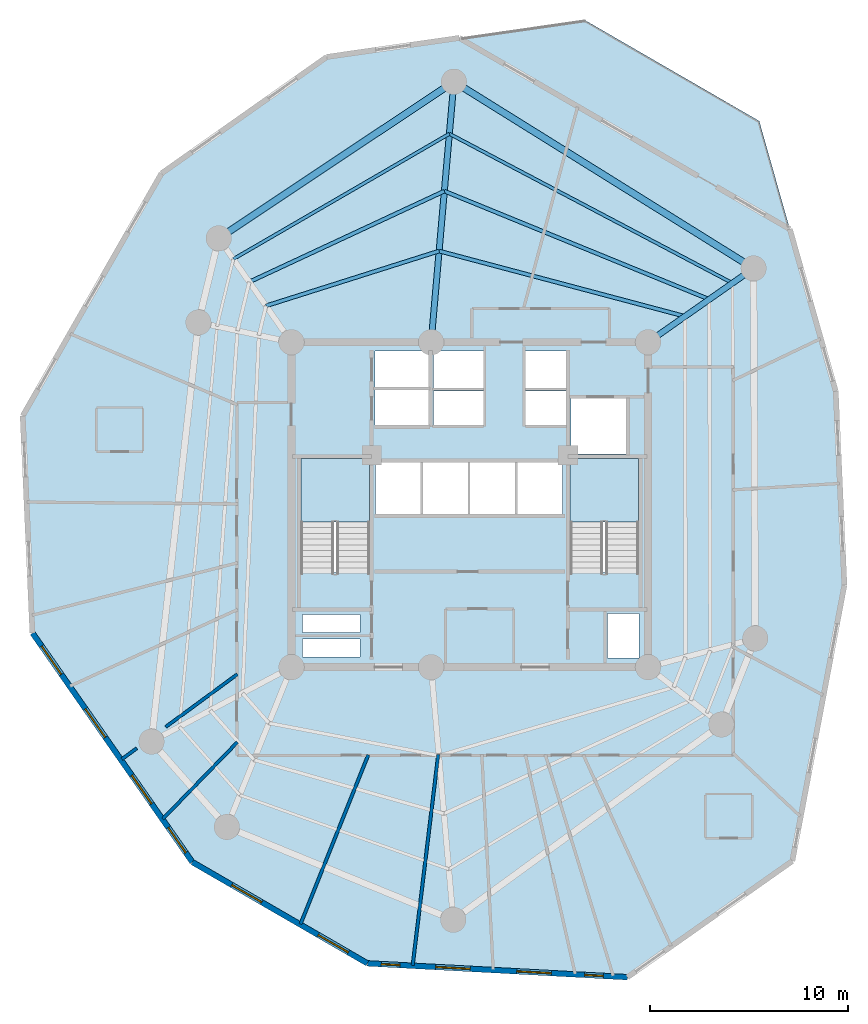
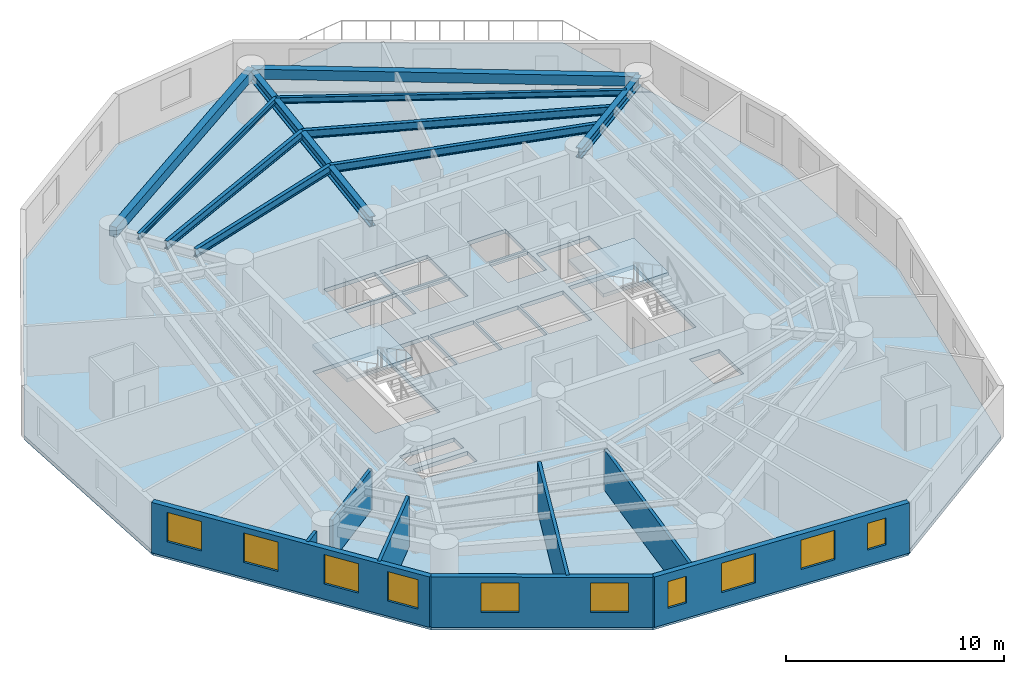
# One storey, part 2 of 7: 10 beams, 10 windows, 8 walls, 4 slabs, 10 openings, 2 elements without a shape of their own.
"""IFC4 building model written with IfcOpenShell, lengths in metres."""

from ifc_helpers import new_model, si_unit, direction, frame, frame_2d, origin, origin_with_axes, origin_2d, place, context, subcontext, project, spatial, polyline, rectangle, i_section, outline, extrude, source, transform, mapped, material, layer, layer_set, material_profile, profile_set, type_object, element, fill, aggregate, save


model = new_model("IFC4")

# Units and contexts
model_context = context("Model", 3, precision=1e-05, world=origin(), true_north=direction((0.0, 1.0)))
body_context = subcontext(model_context, "Body", "Model", "MODEL_VIEW")
ifc_project = project(units=[si_unit("LENGTHUNIT", "METRE"), si_unit("AREAUNIT", "SQUARE_METRE"), si_unit("VOLUMEUNIT", "CUBIC_METRE"), si_unit("PLANEANGLEUNIT", "RADIAN"), si_unit("MASSUNIT", "GRAM", prefix="KILO")], contexts=[model_context])

# Site, building, storey
site_placement = place(None, origin())
site = spatial("IfcSite", under=ifc_project, at=site_placement, CompositionType="ELEMENT")
building_placement = place(site_placement, origin())
building = spatial("IfcBuilding", under=site, at=building_placement, Name="Karkom Vertical University and Central Library", CompositionType="ELEMENT")
storey_placement = place(building_placement, frame((0.0, 0.0, 193.14990234375)))
storey = spatial("IfcBuildingStorey", under=building, at=storey_placement, Name="L56", CompositionType="ELEMENT", Elevation=193.14990234375)

# Beams
ifc_material_1 = material(Name="Precast concrete C45/55", Category="concrete")
ifc_material_profile_1 = material_profile(ifc_material_1, rectangle(XDim=0.35009765625, YDim=0.550048828125, at=origin_2d()), Name="SPB-350x550")
ifc_profile_set_1 = profile_set([ifc_material_profile_1], Name="Precast concrete C45/55")
beam_type_1 = type_object("IfcBeamType", Name="STR-BM-SP-2", PredefinedType="SPANDREL", material=ifc_profile_set_1)
shared_shape_1 = source(origin_with_axes(), body_context, "Body", "SweptSolid", [
    extrude(rectangle(XDim=0.35009765625, YDim=0.550048828125, at=origin_2d()), origin(), (0.0, 0.0, 1.0), 17.81884765625),
])
beam_1_placement = place(storey_placement, frame((42.823974609375, 38.427978515625, 2.550048828125), z_axis=(-0.848764070164, 0.528771740167, 0.0), x_axis=(-0.528771740167, -0.848764070164, 0.0)))
element("IfcBeam", 1, at=beam_1_placement, inside=storey, type_object=beam_type_1, Name="Level 56 Perimeter Spandrel Beam 02", PredefinedType="SPANDREL", context=body_context, shape_type="MappedRepresentation", body=[
    mapped(shared_shape_1, transform((0.0, 0.0, 0.0), scale=1.0)),
])
shared_shape_2 = source(origin_with_axes(), body_context, "Body", "SweptSolid", [
    extrude(rectangle(XDim=0.35009765625, YDim=0.550048828125, at=origin_2d()), origin(), (0.0, 0.0, 1.0), 14.26318359375),
])
beam_2_placement = place(storey_placement, frame((27.699951171875, 47.85009765625, 2.550048828125), z_axis=(-0.83227406272, -0.554364396876, 0.0), x_axis=(0.554364396876, -0.83227406272, 0.0)))
element("IfcBeam", 2, at=beam_2_placement, inside=storey, type_object=beam_type_1, Name="Level 56 Perimeter Spandrel Beam 03", PredefinedType="SPANDREL", context=body_context, shape_type="MappedRepresentation", body=[
    mapped(shared_shape_2, transform((0.0, 0.0, 0.0), scale=1.0)),
])
ifc_material_2 = material(Name="Steel S355", Category="steel")
ifc_material_profile_2 = material_profile(ifc_material_2, i_section(OverallWidth=0.18994140625, OverallDepth=0.449951171875, WebThickness=0.009521484375, FlangeThickness=0.0146484375, FilletRadius=0.02099609375, at=origin_2d()), Name="IPE 450")
ifc_profile_set_2 = profile_set([ifc_material_profile_2], Name="Steel S355")
beam_type_2 = type_object("IfcBeamType", Name="STR-BM-SB-IPE450", PredefinedType="BEAM", material=ifc_profile_set_2)
shared_shape_3 = source(origin_with_axes(), body_context, "Body", "SweptSolid", [
    extrude(i_section(OverallWidth=0.18994140625, OverallDepth=0.449951171875, WebThickness=0.009521484375, FlangeThickness=0.0146484375, FilletRadius=0.02099609375, at=origin_2d()), origin(), (0.0, 0.0, 1.0), 12.841552734375),
])
beam_3_placement = place(storey_placement, frame((39.36328125, 36.0048828125, 2.60009765625), z_axis=(-0.96646647674, 0.256792814032, 0.0), x_axis=(-0.256792814032, -0.96646647674, 0.0)))
element("IfcBeam", 3, at=beam_3_placement, inside=storey, type_object=beam_type_2, Name="Level 56 Secondary Composite Floor Beam 1.02", PredefinedType="BEAM", context=body_context, shape_type="MappedRepresentation", body=[
    mapped(shared_shape_3, transform((0.0, 0.0, 0.0), scale=1.0)),
])
shared_shape_4 = source(origin_with_axes(), body_context, "Body", "SweptSolid", [
    extrude(i_section(OverallWidth=0.18994140625, OverallDepth=0.449951171875, WebThickness=0.009521484375, FlangeThickness=0.0146484375, FilletRadius=0.02099609375, at=origin_2d()), origin(), (0.0, 0.0, 1.0), 9.1650390625),
])
beam_4_placement = place(storey_placement, frame((26.952392578125, 39.302490234375, 2.60009765625), z_axis=(-0.953318200449, -0.301967562319, 0.0), x_axis=(0.301967562319, -0.953318200449, 0.0)))
element("IfcBeam", 4, at=beam_4_placement, inside=storey, type_object=beam_type_2, Name="Level 56 Secondary Composite Floor Beam 1.03", PredefinedType="BEAM", context=body_context, shape_type="MappedRepresentation", body=[
    mapped(shared_shape_4, transform((0.0, 0.0, 0.0), scale=1.0)),
])
shared_shape_5 = source(origin_with_axes(), body_context, "Body", "SweptSolid", [
    extrude(i_section(OverallWidth=0.18994140625, OverallDepth=0.449951171875, WebThickness=0.009521484375, FlangeThickness=0.0146484375, FilletRadius=0.02099609375, at=origin_2d()), origin(), (0.0, 0.0, 1.0), 14.4443359375),
])
beam_5_placement = place(storey_placement, frame((40.587890625, 36.8623046875, 2.60009765625), z_axis=(-0.925675328736, 0.378318894281, 0.0), x_axis=(-0.378318894281, -0.925675328736, 0.0)))
element("IfcBeam", 5, at=beam_5_placement, inside=storey, type_object=beam_type_2, Name="Level 56 Secondary Composite Floor Beam 2.02", PredefinedType="BEAM", context=body_context, shape_type="MappedRepresentation", body=[
    mapped(shared_shape_5, transform((0.0, 0.0, 0.0), scale=1.0)),
])
shared_shape_6 = source(origin_with_axes(), body_context, "Body", "SweptSolid", [
    extrude(i_section(OverallWidth=0.18994140625, OverallDepth=0.449951171875, WebThickness=0.009521484375, FlangeThickness=0.0146484375, FilletRadius=0.02099609375, at=origin_2d()), origin(), (0.0, 0.0, 1.0), 10.86181640625),
])
beam_6_placement = place(storey_placement, frame((27.217041015625, 42.326904296875, 2.60009765625), z_axis=(-0.90649871419, -0.422208575436, 0.0), x_axis=(0.422208575436, -0.90649871419, 0.0)))
element("IfcBeam", 6, at=beam_6_placement, inside=storey, type_object=beam_type_2, Name="Level 56 Secondary Composite Floor Beam 2.03", PredefinedType="BEAM", context=body_context, shape_type="MappedRepresentation", body=[
    mapped(shared_shape_6, transform((0.0, 0.0, 0.0), scale=1.0)),
])
ifc_material_profile_3 = material_profile(ifc_material_2, i_section(OverallWidth=0.159912109375, OverallDepth=0.330078125, WebThickness=0.007568359375, FlangeThickness=0.011474609375, FilletRadius=0.01806640625, at=origin_2d()), Name="IPE 330")
ifc_profile_set_3 = profile_set([ifc_material_profile_3], Name="Steel S355")
beam_type_3 = type_object("IfcBeamType", Name="STR-BM-SB-IPE330", PredefinedType="BEAM", material=ifc_profile_set_3)
shared_shape_7 = source(origin_with_axes(), body_context, "Body", "SweptSolid", [
    extrude(i_section(OverallWidth=0.159912109375, OverallDepth=0.330078125, WebThickness=0.007568359375, FlangeThickness=0.011474609375, FilletRadius=0.01806640625, at=origin_2d()), origin(), (0.0, 0.0, 1.0), 16.155517578125),
])
beam_7_placement = place(storey_placement, frame((41.75927734375, 37.682373046875, 2.66015625), z_axis=(-0.884486447848, 0.466565883423, 0.0), x_axis=(-0.466565883423, -0.884486447848, 0.0)))
element("IfcBeam", 7, at=beam_7_placement, inside=storey, type_object=beam_type_3, Name="Level 56 Secondary Composite Floor Beam 3.02", PredefinedType="BEAM", context=body_context, shape_type="MappedRepresentation", body=[
    mapped(shared_shape_7, transform((0.0, 0.0, 0.0), scale=1.0)),
])
shared_shape_8 = source(origin_with_axes(), body_context, "Body", "SweptSolid", [
    extrude(i_section(OverallWidth=0.159912109375, OverallDepth=0.330078125, WebThickness=0.007568359375, FlangeThickness=0.011474609375, FilletRadius=0.01806640625, at=origin_2d()), origin(), (0.0, 0.0, 1.0), 12.6083984375),
])
beam_8_placement = place(storey_placement, frame((27.469970703125, 45.219970703125, 2.66015625), z_axis=(-0.865038920595, -0.50170475965, 0.0), x_axis=(0.50170475965, -0.865038920595, 0.0)))
element("IfcBeam", 8, at=beam_8_placement, inside=storey, type_object=beam_type_3, Name="Level 56 Secondary Composite Floor Beam 3.03", PredefinedType="BEAM", context=body_context, shape_type="MappedRepresentation", body=[
    mapped(shared_shape_8, transform((0.0, 0.0, 0.0), scale=1.0)),
])
ifc_material_profile_4 = material_profile(ifc_material_2, i_section(OverallWidth=0.300048828125, OverallDepth=0.550048828125, WebThickness=0.014892578125, FlangeThickness=0.029052734375, FilletRadius=0.027099609375, at=origin_2d()), Name="HE 550 B")
ifc_profile_set_4 = profile_set([ifc_material_profile_4], Name="Steel S355")
beam_type_4 = type_object("IfcBeamType", Name="STR-BM-SB-HE550", PredefinedType="USERDEFINED", material=ifc_profile_set_4)
shared_shape_9 = source(origin_with_axes(), body_context, "Body", "SweptSolid", [
    extrude(i_section(OverallWidth=0.300048828125, OverallDepth=0.550048828125, WebThickness=0.014892578125, FlangeThickness=0.029052734375, FilletRadius=0.027099609375, at=origin_2d()), origin(), (0.0, 0.0, 1.0), 6.49951171875),
])
beam_9_placement = place(storey_placement, frame((37.5, 34.699951171875, 2.550048828125), z_axis=(0.819141909878, 0.573590909517, 0.0), x_axis=(-0.573590909517, 0.819141909878, 0.0)))
element("IfcBeam", 9, at=beam_9_placement, inside=storey, type_object=beam_type_4, Name="Level 56 Radial Frame Girder 02", ObjectType="GIRDER", PredefinedType="USERDEFINED", context=body_context, shape_type="MappedRepresentation", body=[
    mapped(shared_shape_9, transform((0.0, 0.0, 0.0), scale=1.0)),
])
shared_shape_10 = source(origin_with_axes(), body_context, "Body", "SweptSolid", [
    extrude(i_section(OverallWidth=0.300048828125, OverallDepth=0.550048828125, WebThickness=0.014892578125, FlangeThickness=0.029052734375, FilletRadius=0.027099609375, at=origin_2d()), origin(), (0.0, 0.0, 1.0), 13.200439453125),
])
beam_10_placement = place(storey_placement, frame((26.550048828125, 34.699951171875, 2.550048828125), z_axis=(0.087111657164, 0.996198554098, 0.0), x_axis=(-0.996198554098, 0.087111657164, 0.0)))
element("IfcBeam", 10, at=beam_10_placement, inside=storey, type_object=beam_type_4, Name="Level 56 Radial Frame Girder 03", ObjectType="GIRDER", PredefinedType="USERDEFINED", context=body_context, shape_type="MappedRepresentation", body=[
    mapped(shared_shape_10, transform((0.0, 0.0, 0.0), scale=1.0)),
])

# Stair, slab
ifc_material_3 = material(Name="Concrete C45/55", Category="concrete")
stair_type = type_object("IfcStairType", Name="INT-STR-ST-MAIN", PredefinedType="HALF_TURN_STAIR", material=ifc_material_3)
stair_1_placement = place(storey_placement, origin())
stair_1 = element("IfcStair", 11, at=stair_1_placement, inside=storey, type_object=stair_type, Name="Level 56 Tower Protected Exit Stair ST-1", PredefinedType="HALF_TURN_STAIR")
ifc_layer_1 = layer(ifc_material_3, 0.199951171875)
ifc_layer_set_1 = layer_set([ifc_layer_1], Name="Concrete C45/55")
slab_type_1 = type_object("IfcSlabType", Name="INT-SLB-LANDING", PredefinedType="LANDING", material=ifc_layer_set_1)
slab_1_placement = place(storey_placement, frame((0.0, 0.0, 1.3251953125)))
slab_1 = element("IfcSlab", 12, at=slab_1_placement, type_object=slab_type_1, Name="ST-1 landing 1", PredefinedType="LANDING", context=body_context, shape_type="SweptSolid", body=[
    extrude(outline(polyline([(23.43994140625, 25.6298828125), (23.43994140625, 28.820068359375), (19.97998046875, 28.820068359375), (19.97998046875, 25.6298828125), (23.43994140625, 25.6298828125)])), origin(), (0.0, 0.0, 1.0), 0.199951171875),
])
aggregate(stair_1, [slab_1])

stair_2_placement = place(storey_placement, origin())
stair_2 = element("IfcStair", 13, at=stair_2_placement, inside=storey, type_object=stair_type, Name="Level 56 Tower Protected Exit Stair ST-2", PredefinedType="HALF_TURN_STAIR")
slab_2_placement = place(storey_placement, frame((0.0, 0.0, 1.3251953125)))
slab_2 = element("IfcSlab", 14, at=slab_2_placement, type_object=slab_type_1, Name="ST-2 landing 1", PredefinedType="LANDING", context=body_context, shape_type="SweptSolid", body=[
    extrude(outline(polyline([(37.02001953125, 25.6298828125), (37.02001953125, 28.820068359375), (33.56005859375, 28.820068359375), (33.56005859375, 25.6298828125), (37.02001953125, 25.6298828125)])), origin(), (0.0, 0.0, 1.0), 0.199951171875),
])
aggregate(stair_2, [slab_2])

# Slabs
ifc_layer_2 = layer(ifc_material_3, 0.22509765625)
ifc_layer_set_2 = layer_set([ifc_layer_2], Name="Concrete C45/55")
slab_type_2 = type_object("IfcSlabType", Name="STR-SLB-FLR-225", PredefinedType="FLOOR", material=ifc_layer_set_2)
slab_3_placement = place(storey_placement, frame((0.0, 0.0, -0.224853515625)))
element("IfcSlab", 15, at=slab_3_placement, inside=storey, type_object=slab_type_2, Name="Level 56 Tower Structural Floor Slab", PredefinedType="FLOOR", context=body_context, shape_type="SweptSolid", body=[
    extrude(outline(polyline([(6.4296875, 20.020263671875), (14.4970703125, 8.45947265625), (23.329833984375, 3.349609375), (36.453369140625, 2.651611328125), (44.77685546875, 8.5166015625), (47.40380859375, 22.44091796875), (46.966064453125, 32.229736328125), (44.651611328125, 40.4072265625), (27.97265625, 50.05615234375), (21.284423828125, 49.096435546875), (12.94287109375, 43.21875), (5.939697265625, 30.984130859375), (6.4296875, 20.020263671875)]), holes=[polyline([(19.97998046875, 23.0849609375), (23.43994140625, 23.0849609375), (23.43994140625, 28.820068359375), (19.97998046875, 28.820068359375), (19.97998046875, 23.0849609375)]), polyline([(33.56005859375, 23.0849609375), (37.02001953125, 23.0849609375), (37.02001953125, 28.820068359375), (33.56005859375, 28.820068359375), (33.56005859375, 23.0849609375)]), polyline([(23.75, 26.0), (26.030029296875, 26.0), (26.030029296875, 28.64990234375), (23.75, 28.64990234375), (23.75, 26.0)]), polyline([(26.1298828125, 26.0), (28.409912109375, 26.0), (28.409912109375, 28.64990234375), (26.1298828125, 28.64990234375), (26.1298828125, 26.0)]), polyline([(28.510009765625, 26.0), (30.7900390625, 26.0), (30.7900390625, 28.64990234375), (28.510009765625, 28.64990234375), (28.510009765625, 26.0)]), polyline([(30.889892578125, 26.0), (33.169921875, 26.0), (33.169921875, 28.64990234375), (30.889892578125, 28.64990234375), (30.889892578125, 26.0)]), polyline([(26.679931640625, 30.5), (29.199951171875, 30.5), (29.199951171875, 32.25), (26.679931640625, 32.25), (26.679931640625, 30.5)]), polyline([(26.679931640625, 32.39990234375), (29.199951171875, 32.39990234375), (29.199951171875, 34.25), (26.679931640625, 34.25), (26.679931640625, 32.39990234375)]), polyline([(31.300048828125, 30.5), (33.35009765625, 30.5), (33.35009765625, 32.25), (31.300048828125, 32.25), (31.300048828125, 30.5)]), polyline([(31.300048828125, 32.39990234375), (33.35009765625, 32.39990234375), (33.35009765625, 34.25), (31.300048828125, 34.25), (31.300048828125, 32.39990234375)]), polyline([(23.719970703125, 30.47998046875), (26.429931640625, 30.47998046875), (26.429931640625, 32.320068359375), (23.719970703125, 32.320068359375), (23.719970703125, 30.47998046875)]), polyline([(23.719970703125, 32.419921875), (26.429931640625, 32.419921875), (26.429931640625, 34.260009765625), (23.719970703125, 34.260009765625), (23.719970703125, 32.419921875)]), polyline([(33.60009765625, 29.050048828125), (36.39990234375, 29.050048828125), (36.39990234375, 31.85009765625), (33.60009765625, 31.85009765625), (33.60009765625, 29.050048828125)]), polyline([(20.050048828125, 18.820068359375), (22.949951171875, 18.820068359375), (22.949951171875, 19.719970703125), (20.050048828125, 19.719970703125), (20.050048828125, 18.820068359375)]), polyline([(20.050048828125, 20.06005859375), (22.949951171875, 20.06005859375), (22.949951171875, 20.9599609375), (20.050048828125, 20.9599609375), (20.050048828125, 20.06005859375)]), polyline([(35.4599609375, 18.760009765625), (37.0400390625, 18.760009765625), (37.0400390625, 21.010009765625), (35.4599609375, 21.010009765625), (35.4599609375, 18.760009765625)])]), origin(), (0.0, 0.0, 1.0), 0.224853515625),
])
ifc_layer_3 = layer(ifc_material_3, 0.199951171875)
ifc_layer_set_3 = layer_set([ifc_layer_3], Name="Concrete C45/55")
slab_type_3 = type_object("IfcSlabType", Name="STR-SLB-PLN-260", PredefinedType="USERDEFINED", material=ifc_layer_set_3)
slab_4_placement = place(storey_placement, frame((0.0, 0.0, -0.224853515625)))
element("IfcSlab", 16, at=slab_4_placement, inside=storey, type_object=slab_type_3, Name="Level 56 Spiral Sky Garden Planter Terrace", ObjectType="PLANTER", PredefinedType="USERDEFINED", context=body_context, shape_type="SweptSolid", body=[
    extrude(outline(polyline([(44.651611328125, 40.4072265625), (43.107177734375, 45.864013671875), (34.293212890625, 50.962890625), (27.97265625, 50.05615234375), (44.651611328125, 40.4072265625)])), origin(), (0.0, 0.0, 1.0), 0.224853515625),
])

# Wall, openings, windows
ifc_material_4 = material(Name="Brick-faced precast concrete C45/55", Category="masonry")
ifc_layer_4 = layer(ifc_material_4, 0.280029296875)
ifc_layer_set_4 = layer_set([ifc_layer_4], Name="Brick-faced precast concrete C45/55")
wall_type_1 = type_object("IfcWallType", Name="ENV-WL-BRK-280", PredefinedType="SOLIDWALL", material=ifc_layer_set_4)
wall_1_placement = place(storey_placement, frame((6.4296875, 20.020263671875, 0.0), z_axis=(0.0, 0.0, 1.0), x_axis=(0.57226340273, -0.820069873789, 0.0)))
wall_1 = element("IfcWall", 17, at=wall_1_placement, inside=storey, type_object=wall_type_1, Name="Level 56 Brick-Faced Precast Facade Wall 01", PredefinedType="SOLIDWALL", context=body_context, shape_type="SweptSolid", body=[
    extrude(rectangle(XDim=14.097412109375, YDim=0.280029296875, at=frame_2d((7.048828125, 0.0))), origin(), (0.0, 0.0, 1.0), 2.8251953125),
])
opening_1_placement = place(wall_1_placement, frame((0.79736328125, 0.0, 0.85009765625)))
opening_1 = element("IfcOpeningElement", 18, at=opening_1_placement, cuts=wall_1, Name="Opening WN-08", PredefinedType="OPENING", context=body_context, shape_type="SweptSolid", body=[
    extrude(rectangle(XDim=1.75, YDim=1.64990234375, at=frame_2d((0.875, 0.824951171875))), frame((0.0, 0.14990234375, 0.0), z_axis=(0.0, -1.0, 0.0), x_axis=(1.0, 0.0, 0.0)), (0.0, 0.0, 1.0), 0.300048828125),
])
opening_2_placement = place(wall_1_placement, frame((4.668212890625, 0.0, 0.85009765625)))
opening_2 = element("IfcOpeningElement", 19, at=opening_2_placement, cuts=wall_1, Name="Opening WN-08", PredefinedType="OPENING", context=body_context, shape_type="SweptSolid", body=[
    extrude(rectangle(XDim=1.75, YDim=1.64990234375, at=frame_2d((0.875, 0.824951171875))), frame((0.0, 0.14990234375, 0.0), z_axis=(0.0, -1.0, 0.0), x_axis=(1.0, 0.0, 0.0)), (0.0, 0.0, 1.0), 0.300048828125),
])
opening_3_placement = place(wall_1_placement, frame((8.750732421875, 0.0, 0.85009765625)))
opening_3 = element("IfcOpeningElement", 20, at=opening_3_placement, cuts=wall_1, Name="Opening WN-08", PredefinedType="OPENING", context=body_context, shape_type="SweptSolid", body=[
    extrude(rectangle(XDim=1.75, YDim=1.64990234375, at=frame_2d((0.875, 0.824951171875))), frame((0.0, 0.14990234375, 0.0), z_axis=(0.0, -1.0, 0.0), x_axis=(1.0, 0.0, 0.0)), (0.0, 0.0, 1.0), 0.300048828125),
])
opening_4_placement = place(wall_1_placement, frame((11.96875, 0.0, 0.85009765625)))
opening_4 = element("IfcOpeningElement", 21, at=opening_4_placement, cuts=wall_1, Name="Opening WN-09", PredefinedType="OPENING", context=body_context, shape_type="SweptSolid", body=[
    extrude(rectangle(XDim=1.550048828125, YDim=1.64990234375, at=frame_2d((0.77490234375, 0.824951171875))), frame((0.0, 0.14990234375, 0.0), z_axis=(0.0, -1.0, 0.0), x_axis=(1.0, 0.0, 0.0)), (0.0, 0.0, 1.0), 0.300048828125),
])
ifc_material_5 = material(Name="Aluminium thermal-break frame with solar-control IGU", Category="aluminium")
window_type_1 = type_object("IfcWindowType", Name="ENV-WIN-WN-08", PartitioningType="SINGLE_PANEL", PredefinedType="WINDOW", material=ifc_material_5)
shared_shape_11 = source(origin_with_axes(), body_context, "Body", "SweptSolid", [
    extrude(rectangle(XDim=1.75, YDim=1.64990234375, at=frame_2d((0.875, 0.824951171875))), frame((0.0, 0.030029296875, 0.0), z_axis=(0.0, -1.0, 0.0), x_axis=(1.0, 0.0, 0.0)), (0.0, 0.0, 1.0), 0.06005859375),
])
window_1_placement = place(opening_1_placement, origin())
window_1 = element("IfcWindow", 22, at=window_1_placement, inside=storey, type_object=window_type_1, Name="Level 56 Punched Window 1.1", OverallHeight=1.64990234375, OverallWidth=1.75, PartitioningType="SINGLE_PANEL", PredefinedType="WINDOW", context=body_context, shape_type="MappedRepresentation", body=[
    mapped(shared_shape_11, transform((0.0, 0.0, 0.0), scale=1.0)),
])
fill(opening_1, window_1)
window_2_placement = place(opening_2_placement, origin())
window_2 = element("IfcWindow", 23, at=window_2_placement, inside=storey, type_object=window_type_1, Name="Level 56 Punched Window 1.2", OverallHeight=1.64990234375, OverallWidth=1.75, PartitioningType="SINGLE_PANEL", PredefinedType="WINDOW", context=body_context, shape_type="MappedRepresentation", body=[
    mapped(shared_shape_11, transform((0.0, 0.0, 0.0), scale=1.0)),
])
fill(opening_2, window_2)
window_3_placement = place(opening_3_placement, origin())
window_3 = element("IfcWindow", 24, at=window_3_placement, inside=storey, type_object=window_type_1, Name="Level 56 Punched Window 1.3", OverallHeight=1.64990234375, OverallWidth=1.75, PartitioningType="SINGLE_PANEL", PredefinedType="WINDOW", context=body_context, shape_type="MappedRepresentation", body=[
    mapped(shared_shape_11, transform((0.0, 0.0, 0.0), scale=1.0)),
])
fill(opening_3, window_3)
window_type_2 = type_object("IfcWindowType", Name="ENV-WIN-WN-09", PartitioningType="SINGLE_PANEL", PredefinedType="WINDOW", material=ifc_material_5)
shared_shape_12 = source(origin_with_axes(), body_context, "Body", "SweptSolid", [
    extrude(rectangle(XDim=1.550048828125, YDim=1.64990234375, at=frame_2d((0.77490234375, 0.824951171875))), frame((0.0, 0.030029296875, 0.0), z_axis=(0.0, -1.0, 0.0), x_axis=(1.0, 0.0, 0.0)), (0.0, 0.0, 1.0), 0.06005859375),
])
window_4_placement = place(opening_4_placement, origin())
window_4 = element("IfcWindow", 25, at=window_4_placement, inside=storey, type_object=window_type_2, Name="Level 56 Punched Window 1.4", OverallHeight=1.64990234375, OverallWidth=1.550048828125, PartitioningType="SINGLE_PANEL", PredefinedType="WINDOW", context=body_context, shape_type="MappedRepresentation", body=[
    mapped(shared_shape_12, transform((0.0, 0.0, 0.0), scale=1.0)),
])
fill(opening_4, window_4)

wall_2_placement = place(storey_placement, frame((14.4970703125, 8.45947265625, 0.0), z_axis=(0.0, 0.0, 1.0), x_axis=(0.865589496706, -0.500754254293, 0.0)))
wall_2 = element("IfcWall", 26, at=wall_2_placement, inside=storey, type_object=wall_type_1, Name="Level 56 Brick-Faced Precast Facade Wall 02", PredefinedType="SOLIDWALL", context=body_context, shape_type="SweptSolid", body=[
    extrude(rectangle(XDim=10.204345703125, YDim=0.280029296875, at=frame_2d((5.10205078125, 0.0))), origin(), (0.0, 0.0, 1.0), 2.8251953125),
])
opening_5_placement = place(wall_2_placement, frame((2.298583984375, 0.0, 0.85009765625)))
opening_5 = element("IfcOpeningElement", 27, at=opening_5_placement, cuts=wall_2, Name="Opening WN-08", PredefinedType="OPENING", context=body_context, shape_type="SweptSolid", body=[
    extrude(rectangle(XDim=1.75, YDim=1.64990234375, at=frame_2d((0.875, 0.824951171875))), frame((0.0, 0.14990234375, 0.0), z_axis=(0.0, -1.0, 0.0), x_axis=(1.0, 0.0, 0.0)), (0.0, 0.0, 1.0), 0.300048828125),
])
opening_6_placement = place(wall_2_placement, frame((7.3408203125, 0.0, 0.85009765625)))
opening_6 = element("IfcOpeningElement", 28, at=opening_6_placement, cuts=wall_2, Name="Opening WN-08", PredefinedType="OPENING", context=body_context, shape_type="SweptSolid", body=[
    extrude(rectangle(XDim=1.75, YDim=1.64990234375, at=frame_2d((0.875, 0.824951171875))), frame((0.0, 0.14990234375, 0.0), z_axis=(0.0, -1.0, 0.0), x_axis=(1.0, 0.0, 0.0)), (0.0, 0.0, 1.0), 0.300048828125),
])
window_5_placement = place(opening_5_placement, origin())
window_5 = element("IfcWindow", 29, at=window_5_placement, inside=storey, type_object=window_type_1, Name="Level 56 Punched Window 2.1", OverallHeight=1.64990234375, OverallWidth=1.75, PartitioningType="SINGLE_PANEL", PredefinedType="WINDOW", context=body_context, shape_type="MappedRepresentation", body=[
    mapped(shared_shape_11, transform((0.0, 0.0, 0.0), scale=1.0)),
])
fill(opening_5, window_5)
window_6_placement = place(opening_6_placement, origin())
window_6 = element("IfcWindow", 30, at=window_6_placement, inside=storey, type_object=window_type_1, Name="Level 56 Punched Window 2.2", OverallHeight=1.64990234375, OverallWidth=1.75, PartitioningType="SINGLE_PANEL", PredefinedType="WINDOW", context=body_context, shape_type="MappedRepresentation", body=[
    mapped(shared_shape_11, transform((0.0, 0.0, 0.0), scale=1.0)),
])
fill(opening_6, window_6)

wall_3_placement = place(storey_placement, frame((23.329833984375, 3.349609375, 0.0), z_axis=(0.0, 0.0, 1.0), x_axis=(0.998588579162, -0.053111670719, 0.0)))
wall_3 = element("IfcWall", 31, at=wall_3_placement, inside=storey, type_object=wall_type_1, Name="Level 56 Brick-Faced Precast Facade Wall 03", PredefinedType="SOLIDWALL", context=body_context, shape_type="SweptSolid", body=[
    extrude(rectangle(XDim=13.14208984375, YDim=0.280029296875, at=frame_2d((6.571044921875, 0.0))), origin(), (0.0, 0.0, 1.0), 2.8251953125),
])
opening_7_placement = place(wall_3_placement, frame((0.701904296875, 0.0, 0.85009765625)))
opening_7 = element("IfcOpeningElement", 32, at=opening_7_placement, cuts=wall_3, Name="Opening WN-12", PredefinedType="OPENING", context=body_context, shape_type="SweptSolid", body=[
    extrude(rectangle(XDim=0.949951171875, YDim=1.5, at=frame_2d((0.47509765625, 0.75))), frame((0.0, 0.14990234375, 0.0), z_axis=(0.0, -1.0, 0.0), x_axis=(1.0, 0.0, 0.0)), (0.0, 0.0, 1.0), 0.300048828125),
])
opening_8_placement = place(wall_3_placement, frame((3.44970703125, 0.0, 0.85009765625)))
opening_8 = element("IfcOpeningElement", 33, at=opening_8_placement, cuts=wall_3, Name="Opening WN-08", PredefinedType="OPENING", context=body_context, shape_type="SweptSolid", body=[
    extrude(rectangle(XDim=1.75, YDim=1.64990234375, at=frame_2d((0.875, 0.824951171875))), frame((0.0, 0.14990234375, 0.0), z_axis=(0.0, -1.0, 0.0), x_axis=(1.0, 0.0, 0.0)), (0.0, 0.0, 1.0), 0.300048828125),
])
opening_9_placement = place(wall_3_placement, frame((7.550048828125, 0.0, 0.85009765625)))
opening_9 = element("IfcOpeningElement", 34, at=opening_9_placement, cuts=wall_3, Name="Opening WN-08", PredefinedType="OPENING", context=body_context, shape_type="SweptSolid", body=[
    extrude(rectangle(XDim=1.75, YDim=1.64990234375, at=frame_2d((0.875, 0.824951171875))), frame((0.0, 0.14990234375, 0.0), z_axis=(0.0, -1.0, 0.0), x_axis=(1.0, 0.0, 0.0)), (0.0, 0.0, 1.0), 0.300048828125),
])
opening_10_placement = place(wall_3_placement, frame((10.9794921875, 0.0, 0.85009765625)))
opening_10 = element("IfcOpeningElement", 35, at=opening_10_placement, cuts=wall_3, Name="Opening WN-12", PredefinedType="OPENING", context=body_context, shape_type="SweptSolid", body=[
    extrude(rectangle(XDim=0.949951171875, YDim=1.5, at=frame_2d((0.47509765625, 0.75))), frame((0.0, 0.14990234375, 0.0), z_axis=(0.0, -1.0, 0.0), x_axis=(1.0, 0.0, 0.0)), (0.0, 0.0, 1.0), 0.300048828125),
])
window_type_3 = type_object("IfcWindowType", Name="ENV-WIN-WN-12", PartitioningType="SINGLE_PANEL", PredefinedType="WINDOW", material=ifc_material_5)
shared_shape_13 = source(origin_with_axes(), body_context, "Body", "SweptSolid", [
    extrude(rectangle(XDim=0.949951171875, YDim=1.5, at=frame_2d((0.47509765625, 0.75))), frame((0.0, 0.030029296875, 0.0), z_axis=(0.0, -1.0, 0.0), x_axis=(1.0, 0.0, 0.0)), (0.0, 0.0, 1.0), 0.06005859375),
])
window_7_placement = place(opening_7_placement, origin())
window_7 = element("IfcWindow", 36, at=window_7_placement, inside=storey, type_object=window_type_3, Name="Level 56 Punched Window 3.1", OverallHeight=1.5, OverallWidth=0.949951171875, PartitioningType="SINGLE_PANEL", PredefinedType="WINDOW", context=body_context, shape_type="MappedRepresentation", body=[
    mapped(shared_shape_13, transform((0.0, 0.0, 0.0), scale=1.0)),
])
fill(opening_7, window_7)
window_8_placement = place(opening_10_placement, origin())
window_8 = element("IfcWindow", 37, at=window_8_placement, inside=storey, type_object=window_type_3, Name="Level 56 Punched Window 3.4", OverallHeight=1.5, OverallWidth=0.949951171875, PartitioningType="SINGLE_PANEL", PredefinedType="WINDOW", context=body_context, shape_type="MappedRepresentation", body=[
    mapped(shared_shape_13, transform((0.0, 0.0, 0.0), scale=1.0)),
])
fill(opening_10, window_8)
window_9_placement = place(opening_8_placement, origin())
window_9 = element("IfcWindow", 38, at=window_9_placement, inside=storey, type_object=window_type_1, Name="Level 56 Punched Window 3.2", OverallHeight=1.64990234375, OverallWidth=1.75, PartitioningType="SINGLE_PANEL", PredefinedType="WINDOW", context=body_context, shape_type="MappedRepresentation", body=[
    mapped(shared_shape_11, transform((0.0, 0.0, 0.0), scale=1.0)),
])
fill(opening_8, window_9)
window_10_placement = place(opening_9_placement, origin())
window_10 = element("IfcWindow", 39, at=window_10_placement, inside=storey, type_object=window_type_1, Name="Level 56 Punched Window 3.3", OverallHeight=1.64990234375, OverallWidth=1.75, PartitioningType="SINGLE_PANEL", PredefinedType="WINDOW", context=body_context, shape_type="MappedRepresentation", body=[
    mapped(shared_shape_11, transform((0.0, 0.0, 0.0), scale=1.0)),
])
fill(opening_9, window_10)

# Walls
ifc_material_6 = material(Name="Insulated metal-stud drywall 160mm", Category="gypsum")
ifc_layer_5 = layer(ifc_material_6, 0.159912109375)
ifc_layer_set_5 = layer_set([ifc_layer_5], Name="Insulated metal-stud drywall 160mm")
wall_type_2 = type_object("IfcWallType", Name="INT-WL-COR-160", PredefinedType="PARTITIONING", material=ifc_layer_set_5)
wall_4_placement = place(storey_placement, frame((26.910400390625, 13.894775390625, 0.0), z_axis=(0.0, 0.0, 1.0), x_axis=(-0.120454472702, -0.992718852448, 0.0)))
element("IfcWall", 40, at=wall_4_placement, inside=storey, type_object=wall_type_2, Name="Level 56 Interior Partition Wall L56-PW-008", PredefinedType="PARTITIONING", context=body_context, shape_type="SweptSolid", body=[
    extrude(rectangle(XDim=10.719970703125, YDim=0.159912109375, at=frame_2d((5.35986328125, 0.0))), origin(), (0.0, 0.0, 1.0), 2.275146484375),
])
wall_5_placement = place(storey_placement, frame((23.3798828125, 13.877685546875, 0.0), z_axis=(0.0, 0.0, 1.0), x_axis=(-0.371843244329, -0.928295535725, 0.0)))
element("IfcWall", 41, at=wall_5_placement, inside=storey, type_object=wall_type_2, Name="Level 56 Interior Partition Wall L56-PW-007", PredefinedType="PARTITIONING", context=body_context, shape_type="SweptSolid", body=[
    extrude(rectangle(XDim=9.20703125, YDim=0.159912109375, at=frame_2d((4.603515625, 0.0))), origin(), (0.0, 0.0, 1.0), 2.8251953125),
])
wall_6_placement = place(storey_placement, frame((16.77099609375, 14.513671875, 0.0), z_axis=(0.0, 0.0, 1.0), x_axis=(-0.696840168134, -0.717226449648, 0.0)))
element("IfcWall", 42, at=wall_6_placement, inside=storey, type_object=wall_type_2, Name="Level 56 Interior Partition Wall L56-PW-006", PredefinedType="PARTITIONING", context=body_context, shape_type="SweptSolid", body=[
    extrude(rectangle(XDim=5.401123046875, YDim=0.159912109375, at=frame_2d((2.70068359375, 0.0))), origin(), (0.0, 0.0, 1.0), 2.8251953125),
])
wall_7_placement = place(storey_placement, frame((16.774169921875, 17.947021484375, 0.0), z_axis=(0.0, 0.0, 1.0), x_axis=(-0.805443512659, -0.592672546956, 0.0)))
element("IfcWall", 43, at=wall_7_placement, inside=storey, type_object=wall_type_2, Name="Level 56 Interior Partition Wall L56-PW-004", PredefinedType="PARTITIONING", context=body_context, shape_type="SweptSolid", body=[
    extrude(rectangle(XDim=4.493408203125, YDim=0.159912109375, at=frame_2d((2.24658203125, 0.0))), origin(), (0.0, 0.0, 1.0), 2.275146484375),
])
wall_8_placement = place(storey_placement, frame((11.696044921875, 14.21044921875, 0.0), z_axis=(0.0, 0.0, 1.0), x_axis=(-0.805423517146, -0.59269971995, 0.0)))
element("IfcWall", 44, at=wall_8_placement, inside=storey, type_object=wall_type_2, Name="Level 56 Interior Partition Wall L56-PW-005", PredefinedType="PARTITIONING", context=body_context, shape_type="SweptSolid", body=[
    extrude(rectangle(XDim=0.934326171875, YDim=0.159912109375, at=frame_2d((0.46728515625, 0.0))), origin(), (0.0, 0.0, 1.0), 2.8251953125),
])

save(model, "model.ifc")
